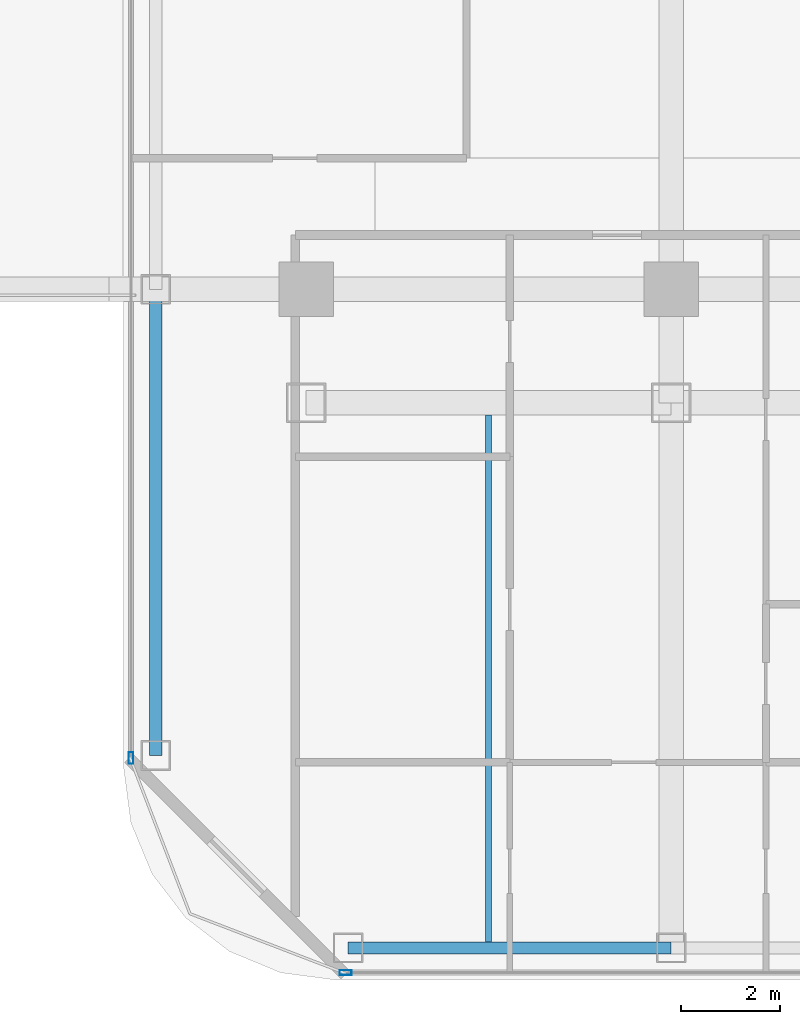
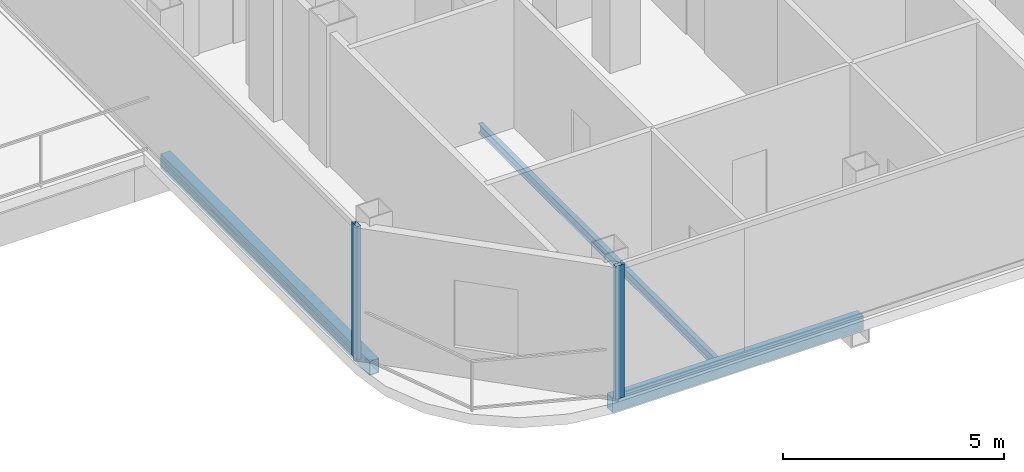
# One storey, part 2 of 26: 3 beams, 2 members, 2 elements without a shape of their own.
"""IFC4 building model written with IfcOpenShell, lengths in metres."""

from ifc_helpers import new_model, si_unit, direction, frame, origin, origin_2d, place, context, subcontext, project, spatial, hollow_rectangle, i_section, extrude, material, layer, layer_set, material_profile, profile_set, type_object, element, aggregate, save


model = new_model("IFC4")

# Units and contexts
model_context = context("Model", 3, precision=1e-05, world=origin(), true_north=direction((0.0, 1.0)))
body_context = subcontext(model_context, "Body", "Model", "MODEL_VIEW")
ifc_project = project(units=[si_unit("LENGTHUNIT", "METRE"), si_unit("AREAUNIT", "SQUARE_METRE"), si_unit("VOLUMEUNIT", "CUBIC_METRE"), si_unit("PLANEANGLEUNIT", "RADIAN"), si_unit("MASSUNIT", "GRAM", prefix="KILO")], contexts=[model_context])

# Site, building, storey
site_placement = place(None, origin())
site = spatial("IfcSite", under=ifc_project, at=site_placement, CompositionType="ELEMENT")
building_placement = place(site_placement, origin())
building = spatial("IfcBuilding", under=site, at=building_placement, Name="Khorvyn Point Tower", CompositionType="ELEMENT")
storey_placement = place(building_placement, frame((0.0, 0.0, 219.60009765625)))
storey = spatial("IfcBuildingStorey", under=building, at=storey_placement, Name="L54", CompositionType="ELEMENT", Elevation=219.60009765625)

# Curtain wall, member
ifc_material_1 = material(Name="Anodised aluminium 6063-T6 and laminated Low-E glass", Category="aluminium")
ifc_layer = layer(ifc_material_1, 0.18994140625)
ifc_layer_set = layer_set([ifc_layer], Name="Stick-Built Acoustic Curtain Wall CW-SYS-03")
curtain_wall_type = type_object("IfcCurtainWallType", Name="Stick-Built Acoustic Curtain Wall CW-SYS-03", PredefinedType="NOTDEFINED", material=ifc_layer_set)
curtain_wall_1_placement = place(storey_placement, origin())
curtain_wall_1 = element("IfcCurtainWall", 1, at=curtain_wall_1_placement, inside=storey, type_object=curtain_wall_type, Name="Curtain Wall", PredefinedType="NOTDEFINED")
ifc_material_2 = material(Name="Anodised aluminium 6063-T6", Category="aluminium")
ifc_material_profile_1 = material_profile(ifc_material_2, hollow_rectangle(XDim=0.10009765625, YDim=0.239990234375, WallThickness=0.0048828125, at=origin_2d()))
ifc_profile_set_1 = profile_set([ifc_material_profile_1], Name="Anodised aluminium 6063-T6 ALU-MUL-100x240")
member_type = type_object("IfcMemberType", Name="Anodised Aluminium 6063-T6 Mullion ALU-MUL-100x240", PredefinedType="MULLION", material=ifc_profile_set_1)
member_1_placement = place(storey_placement, frame((-14.0, -28.64990234375, 0.0), z_axis=(0.0, 0.0, 1.0), x_axis=(0.0, -1.0, 0.0)))
member_1 = element("IfcMember", 2, at=member_1_placement, type_object=member_type, Name="Transom", PredefinedType="MULLION", context=body_context, shape_type="SweptSolid", body=[
    extrude(hollow_rectangle(XDim=0.10009765625, YDim=0.239990234375, WallThickness=0.0048828125, at=origin_2d()), origin(), (0.0, 0.0, 1.0), 3.679931640625),
])
aggregate(curtain_wall_1, [member_1])

curtain_wall_2_placement = place(storey_placement, origin())
curtain_wall_2 = element("IfcCurtainWall", 3, at=curtain_wall_2_placement, inside=storey, type_object=curtain_wall_type, Name="Curtain Wall", PredefinedType="NOTDEFINED")
member_2_placement = place(storey_placement, frame((-18.35009765625, -24.300048828125, 0.0), z_axis=(0.0, 0.0, 1.0), x_axis=(-1.0, 0.0, 0.0)))
member_2 = element("IfcMember", 4, at=member_2_placement, type_object=member_type, Name="Transom", PredefinedType="MULLION", context=body_context, shape_type="SweptSolid", body=[
    extrude(hollow_rectangle(XDim=0.10009765625, YDim=0.239990234375, WallThickness=0.0048828125, at=origin_2d()), origin(), (0.0, 0.0, 1.0), 3.679931640625),
])
aggregate(curtain_wall_2, [member_2])

# Beams
ifc_material_3 = material(Name="Steel S355", Category="steel")
ifc_material_profile_2 = material_profile(ifc_material_3, i_section(OverallWidth=0.125, OverallDepth=0.25, WebThickness=0.006103515625, FlangeThickness=0.009033203125, at=origin_2d()))
ifc_profile_set_2 = profile_set([ifc_material_profile_2], Name="Steel S355 H250x125x6x9")
beam_type_1 = type_object("IfcBeamType", Name="Steel S355 Joist H250x125x6x9", PredefinedType="JOIST", material=ifc_profile_set_2)
beam_1_placement = place(storey_placement, frame((-11.10009765625, -28.02490234375, -0.405029296875), z_axis=(0.0, 1.0, 0.0), x_axis=(-1.0, 0.0, 0.0)))
element("IfcBeam", 5, at=beam_1_placement, inside=storey, type_object=beam_type_1, Name="Beam", PredefinedType="JOIST", context=body_context, shape_type="SweptSolid", body=[
    extrude(i_section(OverallWidth=0.125, OverallDepth=0.25, WebThickness=0.006103515625, FlangeThickness=0.009033203125, at=origin_2d()), origin(), (0.0, 0.0, 1.0), 10.6748046875),
])
ifc_material_profile_3 = material_profile(ifc_material_3, hollow_rectangle(XDim=0.25, YDim=0.39990234375, WallThickness=0.01611328125, at=origin_2d()))
ifc_profile_set_3 = profile_set([ifc_material_profile_3], Name="Steel S355 RHS400x250x16")
beam_type_2 = type_object("IfcBeamType", Name="Steel S355 Spandrel RHS400x250x16", PredefinedType="SPANDREL", material=ifc_profile_set_3)
beam_2_placement = place(storey_placement, frame((-13.949951171875, -28.14990234375, -0.47998046875), z_axis=(1.0, 0.0, 0.0), x_axis=(0.0, 1.0, 0.0)))
element("IfcBeam", 6, at=beam_2_placement, inside=storey, type_object=beam_type_2, Name="Beam", PredefinedType="SPANDREL", context=body_context, shape_type="SweptSolid", body=[
    extrude(hollow_rectangle(XDim=0.25, YDim=0.39990234375, WallThickness=0.01611328125, at=origin_2d()), origin(), (0.0, 0.0, 1.0), 6.550048828125),
])
beam_3_placement = place(storey_placement, frame((-17.85009765625, -24.25, -0.47998046875), z_axis=(0.0, 1.0, 0.0), x_axis=(-1.0, 0.0, 0.0)))
element("IfcBeam", 7, at=beam_3_placement, inside=storey, type_object=beam_type_2, Name="Beam", PredefinedType="SPANDREL", context=body_context, shape_type="SweptSolid", body=[
    extrude(hollow_rectangle(XDim=0.25, YDim=0.39990234375, WallThickness=0.01611328125, at=origin_2d()), origin(), (0.0, 0.0, 1.0), 9.449951171875),
])

save(model, "model.ifc")
